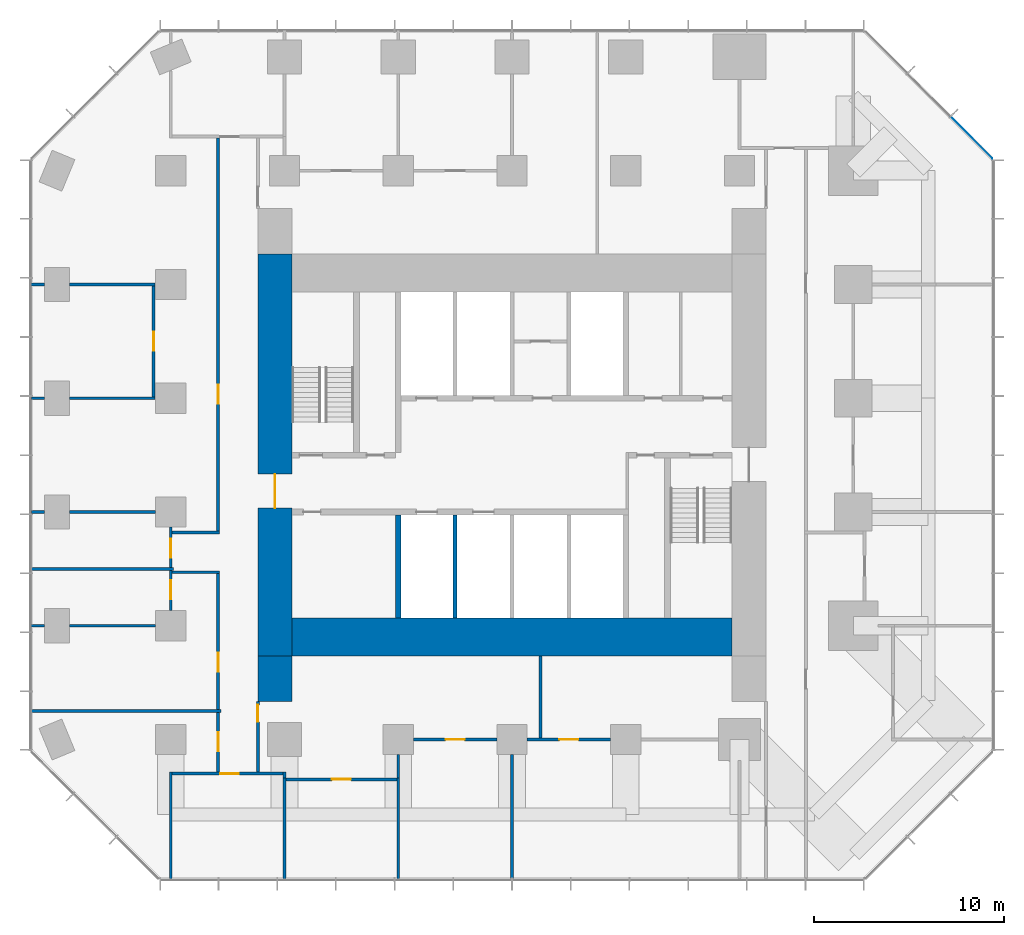
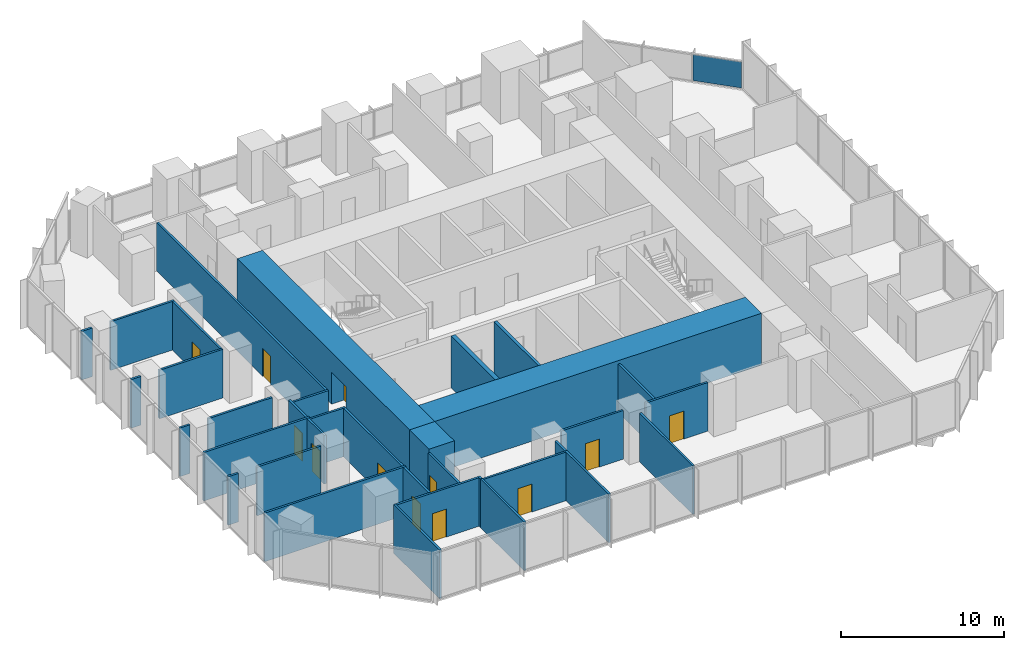
# One storey, part 9 of 12: 35 walls, 12 doors, 1 plate, 12 openings, 1 element without a shape of its own.
"""IFC4 building model written with IfcOpenShell, lengths in metres."""

from ifc_helpers import new_model, si_unit, direction, frame, frame_2d, origin, origin_2d, place, context, subcontext, project, spatial, rectangle, extrude, material, layer, layer_set, type_object, element, fill, aggregate, save


model = new_model("IFC4")

# Units and contexts
model_context = context("Model", 3, precision=1e-05, world=origin(), true_north=direction((0.0, 1.0)))
body_context = subcontext(model_context, "Body", "Model", "MODEL_VIEW")
ifc_project = project(units=[si_unit("LENGTHUNIT", "METRE"), si_unit("AREAUNIT", "SQUARE_METRE"), si_unit("VOLUMEUNIT", "CUBIC_METRE"), si_unit("PLANEANGLEUNIT", "RADIAN"), si_unit("MASSUNIT", "GRAM", prefix="KILO")], contexts=[model_context])

# Site, building, storey
site_placement = place(None, origin())
site = spatial("IfcSite", under=ifc_project, at=site_placement, CompositionType="ELEMENT")
building_placement = place(site_placement, origin())
building = spatial("IfcBuilding", under=site, at=building_placement, Name="Highveld Stack Headquarters", CompositionType="ELEMENT")
storey_placement = place(building_placement, frame((0.0, 0.0, 160.10009765625)))
storey = spatial("IfcBuildingStorey", under=building, at=storey_placement, Name="L39", CompositionType="ELEMENT", Elevation=160.10009765625)

# Curtain wall, plate
ifc_material_1 = material(Name="Aluminium bronze anodised", Category="aluminium")
ifc_layer_1 = layer(ifc_material_1, 0.199951171875)
ifc_layer_set_1 = layer_set([ifc_layer_1], Name="Aluminium bronze anodised")
curtain_wall_type = type_object("IfcCurtainWallType", Name="CW2 TOWER CHAMFER UNITISED CURTAIN WALL", PredefinedType="NOTDEFINED", material=ifc_layer_set_1)
curtain_wall_placement = place(storey_placement, origin())
curtain_wall = element("IfcCurtainWall", 1, at=curtain_wall_placement, inside=storey, type_object=curtain_wall_type, Name="Curtain wall CW2 L39 NE", PredefinedType="NOTDEFINED")
ifc_material_2 = material(Name="Glass bronze tinted double glazed unit", Category="glass")
ifc_layer_2 = layer(ifc_material_2, 0.028076171875)
ifc_layer_set_2 = layer_set([ifc_layer_2], Name="Glass bronze tinted double glazed unit")
plate_type = type_object("IfcPlateType", Name="CW2 PANEL BRONZE TINTED DOUBLE GLAZED UNIT", PredefinedType="CURTAIN_PANEL", material=ifc_layer_set_2)
plate_placement = place(storey_placement, frame((30.239501953125, 19.740478515625, 0.10009765625), z_axis=(0.0, 0.0, 1.0), x_axis=(-0.707106781187, 0.707106781187, 0.0)))
plate = element("IfcPlate", 2, at=plate_placement, type_object=plate_type, Name="CW2 panel L39 1.1", PredefinedType="CURTAIN_PANEL", context=body_context, shape_type="SweptSolid", body=[
    extrude(rectangle(XDim=3.08251953125, YDim=0.028076171875, at=origin_2d()), origin(), (0.0, 0.0, 1.0), 1.949951171875),
])
aggregate(curtain_wall, [plate])

# Wall, opening, door
ifc_material_3 = material(Name="Concrete C60/75", Category="concrete")
ifc_layer_3 = layer(ifc_material_3, 1.800048828125)
ifc_layer_set_3 = layer_set([ifc_layer_3], Name="Concrete C60/75")
wall_type_1 = type_object("IfcWallType", Name="CORE WALL 1800 C60/75", PredefinedType="SHEAR", material=ifc_layer_set_3)
wall_1_placement = place(storey_placement, frame((-6.5, -7.60009765625, 0.0), z_axis=(0.0, 0.0, 1.0), x_axis=(0.0, 1.0, 0.0)))
wall_1 = element("IfcWall", 3, at=wall_1_placement, inside=storey, type_object=wall_type_1, Name="Core wall W L39", PredefinedType="SHEAR", context=body_context, shape_type="SweptSolid", body=[
    extrude(rectangle(XDim=21.2001953125, YDim=1.800048828125, at=frame_2d((10.60009765625, 0.0))), origin(), (0.0, 0.0, 1.0), 3.89990234375),
])
opening_1_placement = place(wall_1_placement, frame((7.800048828125, 0.0, 0.0)))
opening_1 = element("IfcOpeningElement", 4, at=opening_1_placement, cuts=wall_1, Name="Opening L39-01", PredefinedType="OPENING", context=body_context, shape_type="SweptSolid", body=[
    extrude(rectangle(XDim=1.800048828125, YDim=2.39990234375, at=frame_2d((0.89990234375, 1.199951171875))), frame((0.0, 0.909912109375, 0.0), z_axis=(0.0, -1.0, 0.0), x_axis=(1.0, 0.0, 0.0)), (0.0, 0.0, 1.0), 1.820068359375),
])
ifc_material_4 = material(Name="Steel fire door", Category="steel")
door_type_1 = type_object("IfcDoorType", Name="LOBBY FIRE DOOR D4 1800x2400", OperationType="DOUBLE_DOOR_SINGLE_SWING", PredefinedType="DOOR", material=ifc_material_4)
door_1_placement = place(opening_1_placement, origin())
door_1 = element("IfcDoor", 5, at=door_1_placement, inside=storey, type_object=door_type_1, Name="Core west door L39", OperationType="DOUBLE_DOOR_SINGLE_SWING", OverallHeight=2.39990234375, OverallWidth=1.800048828125, PredefinedType="DOOR", context=body_context, shape_type="SweptSolid", body=[
    extrude(rectangle(XDim=1.800048828125, YDim=2.39990234375, at=frame_2d((0.89990234375, 1.199951171875))), frame((0.0, 0.02490234375, 0.0), z_axis=(0.0, -1.0, 0.0), x_axis=(1.0, 0.0, 0.0)), (0.0, 0.0, 1.0), 0.050048828125),
])
fill(opening_1, door_1)

# Walls
ifc_material_5 = material(Name="Concrete C60/75", Category="concrete")
ifc_layer_4 = layer(ifc_material_5, 2.0)
ifc_layer_set_4 = layer_set([ifc_layer_4], Name="Concrete C60/75")
wall_type_2 = type_object("IfcWallType", Name="CORE WALL 2000 C60/75", PredefinedType="SHEAR", material=ifc_layer_set_4)
wall_2_placement = place(storey_placement, frame((-5.60009765625, -6.60009765625, 0.0), z_axis=(0.0, 0.0, 1.0), x_axis=(1.0, 0.0, 0.0)))
element("IfcWall", 6, at=wall_2_placement, inside=storey, type_object=wall_type_2, Name="Core wall S L39", PredefinedType="SHEAR", context=body_context, shape_type="SweptSolid", body=[
    extrude(rectangle(XDim=23.2001953125, YDim=2.0, at=frame_2d((11.60009765625, 0.0))), origin(), (0.0, 0.0, 1.0), 3.89990234375),
])
ifc_material_6 = material(Name="Concrete C60/75", Category="concrete")
ifc_layer_5 = layer(ifc_material_6, 0.300048828125)
ifc_layer_set_5 = layer_set([ifc_layer_5], Name="Concrete C60/75")
wall_type_3 = type_object("IfcWallType", Name="CORE WALL 300 C60/75", PredefinedType="SHEAR", material=ifc_layer_set_5)
wall_3_placement = place(storey_placement, frame((0.0, -5.60009765625, 0.0), z_axis=(0.0, 0.0, 1.0), x_axis=(0.0, 1.0, 0.0)))
element("IfcWall", 7, at=wall_3_placement, inside=storey, type_object=wall_type_3, Name="Core wall I-X0S L39", PredefinedType="SHEAR", context=body_context, shape_type="SweptSolid", body=[
    extrude(rectangle(XDim=5.4501953125, YDim=0.300048828125, at=frame_2d((2.72509765625, 0.0))), origin(), (0.0, 0.0, 1.0), 3.89990234375),
])
ifc_material_7 = material(Name="Concrete C60/75", Category="concrete")
ifc_layer_6 = layer(ifc_material_7, 1.800048828125)
ifc_layer_set_6 = layer_set([ifc_layer_6], Name="Concrete C60/75")
wall_type_4 = type_object("IfcWallType", Name="CORE WING WALL 1800 C60/75", PredefinedType="SHEAR", material=ifc_layer_set_6)
wall_4_placement = place(storey_placement, frame((-6.5, -10.0, 0.0), z_axis=(0.0, 0.0, 1.0), x_axis=(0.0, 1.0, 0.0)))
element("IfcWall", 8, at=wall_4_placement, inside=storey, type_object=wall_type_4, Name="Core wing wall WS L39", PredefinedType="SHEAR", context=body_context, shape_type="SweptSolid", body=[
    extrude(rectangle(XDim=2.39990234375, YDim=1.800048828125, at=frame_2d((1.199951171875, 0.0))), origin(), (0.0, 0.0, 1.0), 3.89990234375),
])

# Wall, opening, door
ifc_material_8 = material(Name="Laminated glass in aluminium frame", Category="aluminium")
ifc_layer_7 = layer(ifc_material_8, 0.14990234375)
ifc_layer_set_7 = layer_set([ifc_layer_7], Name="Laminated glass in aluminium frame")
wall_type_5 = type_object("IfcWallType", Name="GLAZED PARTITION 150", PredefinedType="PARTITIONING", material=ifc_layer_set_7)
wall_5_placement = place(storey_placement, frame((0.800048828125, -12.0, 0.0), z_axis=(0.0, 0.0, 1.0), x_axis=(1.0, 0.0, 0.0)))
wall_5 = element("IfcWall", 9, at=wall_5_placement, inside=storey, type_object=wall_type_5, Name="Glazed partition Meeting room L39", PredefinedType="PARTITIONING", context=body_context, shape_type="SweptSolid", body=[
    extrude(rectangle(XDim=4.39990234375, YDim=0.14990234375, at=frame_2d((2.199951171875, 0.0))), origin(), (0.0, 0.0, 1.0), 3.64990234375),
])
opening_2_placement = place(wall_5_placement, frame((1.699951171875, 0.0, 0.0)))
opening_2 = element("IfcOpeningElement", 10, at=opening_2_placement, cuts=wall_5, Name="Opening L39-14", PredefinedType="OPENING", context=body_context, shape_type="SweptSolid", body=[
    extrude(rectangle(XDim=1.0, YDim=2.10009765625, at=frame_2d((0.5, 1.050048828125))), frame((0.0, 0.0849609375, 0.0), z_axis=(0.0, -1.0, 0.0), x_axis=(1.0, 0.0, 0.0)), (0.0, 0.0, 1.0), 0.169921875),
])
ifc_material_9 = material(Name="Timber door, oiled ash", Category="wood")
door_type_2 = type_object("IfcDoorType", Name="ROOM DOOR D6 1000x2100", OperationType="SINGLE_SWING_LEFT", PredefinedType="DOOR", material=ifc_material_9)
door_2_placement = place(opening_2_placement, origin())
door_2 = element("IfcDoor", 11, at=door_2_placement, inside=storey, type_object=door_type_2, Name="Meeting room door 1 L39", OperationType="SINGLE_SWING_RIGHT", OverallHeight=2.10009765625, OverallWidth=1.0, PredefinedType="DOOR", context=body_context, shape_type="SweptSolid", body=[
    extrude(rectangle(XDim=1.0, YDim=2.10009765625, at=frame_2d((0.5, 1.050048828125))), frame((0.0, 0.02490234375, 0.0), z_axis=(0.0, -1.0, 0.0), x_axis=(1.0, 0.0, 0.0)), (0.0, 0.0, 1.0), 0.050048828125),
])
fill(opening_2, door_2)

# Wall
ifc_material_10 = material(Name="Concrete blockwork, fair-faced", Category="masonry")
ifc_layer_8 = layer(ifc_material_10, 0.199951171875)
ifc_layer_set_8 = layer_set([ifc_layer_8], Name="Concrete blockwork, fair-faced")
wall_type_6 = type_object("IfcWallType", Name="LIFT SHAFT ENCLOSURE WALL 200 BLOCKWORK", PredefinedType="SOLIDWALL", material=ifc_layer_set_8)
wall_6_placement = place(storey_placement, frame((3.0, -5.60009765625, 0.0), z_axis=(0.0, 0.0, 1.0), x_axis=(0.0, 1.0, 0.0)))
element("IfcWall", 12, at=wall_6_placement, inside=storey, type_object=wall_type_6, Name="Lift shaft wall L39", PredefinedType="SOLIDWALL", context=body_context, shape_type="SweptSolid", body=[
    extrude(rectangle(XDim=5.4501953125, YDim=0.199951171875, at=frame_2d((2.72509765625, 0.0))), origin(), (0.0, 0.0, 1.0), 3.89990234375),
])

# Wall, opening, door
ifc_material_11 = material(Name="Gypsum plasterboard on steel studs", Category="steel")
ifc_layer_9 = layer(ifc_material_11, 0.14990234375)
ifc_layer_set_9 = layer_set([ifc_layer_9], Name="Gypsum plasterboard on steel studs")
wall_type_7 = type_object("IfcWallType", Name="PARTITION 150 PLASTERBOARD", PredefinedType="PARTITIONING", material=ifc_layer_set_9)
wall_7_placement = place(storey_placement, frame((-5.925048828125, -14.10009765625, 0.0), z_axis=(0.0, 0.0, 1.0), x_axis=(1.0, 0.0, 0.0)))
wall_7 = element("IfcWall", 13, at=wall_7_placement, inside=storey, type_object=wall_type_7, Name="Partition Focus room L39", PredefinedType="PARTITIONING", context=body_context, shape_type="SweptSolid", body=[
    extrude(rectangle(XDim=5.85009765625, YDim=0.14990234375, at=frame_2d((2.925048828125, 0.0))), origin(), (0.0, 0.0, 1.0), 3.64990234375),
])
opening_3_placement = place(wall_7_placement, frame((2.425048828125, 0.0, 0.0)))
opening_3 = element("IfcOpeningElement", 14, at=opening_3_placement, cuts=wall_7, Name="Opening L39-13", PredefinedType="OPENING", context=body_context, shape_type="SweptSolid", body=[
    extrude(rectangle(XDim=1.0, YDim=2.10009765625, at=frame_2d((0.5, 1.050048828125))), frame((0.0, 0.0849609375, 0.0), z_axis=(0.0, -1.0, 0.0), x_axis=(1.0, 0.0, 0.0)), (0.0, 0.0, 1.0), 0.169921875),
])
door_3_placement = place(opening_3_placement, origin())
door_3 = element("IfcDoor", 15, at=door_3_placement, inside=storey, type_object=door_type_2, Name="Focus room door 1 L39", OperationType="SINGLE_SWING_RIGHT", OverallHeight=2.10009765625, OverallWidth=1.0, PredefinedType="DOOR", context=body_context, shape_type="SweptSolid", body=[
    extrude(rectangle(XDim=1.0, YDim=2.10009765625, at=frame_2d((0.5, 1.050048828125))), frame((0.0, 0.02490234375, 0.0), z_axis=(0.0, -1.0, 0.0), x_axis=(1.0, 0.0, 0.0)), (0.0, 0.0, 1.0), 0.050048828125),
])
fill(opening_3, door_3)

wall_8_placement = place(storey_placement, frame((-11.925048828125, -13.800048828125, 0.0), z_axis=(0.0, 0.0, 1.0), x_axis=(1.0, 0.0, 0.0)))
wall_8 = element("IfcWall", 16, at=wall_8_placement, inside=storey, type_object=wall_type_7, Name="Partition Print room L39", PredefinedType="PARTITIONING", context=body_context, shape_type="SweptSolid", body=[
    extrude(rectangle(XDim=5.85009765625, YDim=0.14990234375, at=frame_2d((2.925048828125, 0.0))), origin(), (0.0, 0.0, 1.0), 3.64990234375),
])
opening_4_placement = place(wall_8_placement, frame((2.52490234375, 0.0, 0.0)))
opening_4 = element("IfcOpeningElement", 17, at=opening_4_placement, cuts=wall_8, Name="Opening L39-12", PredefinedType="OPENING", context=body_context, shape_type="SweptSolid", body=[
    extrude(rectangle(XDim=1.0, YDim=2.10009765625, at=frame_2d((0.5, 1.050048828125))), frame((0.0, 0.0849609375, 0.0), z_axis=(0.0, -1.0, 0.0), x_axis=(1.0, 0.0, 0.0)), (0.0, 0.0, 1.0), 0.169921875),
])
door_4_placement = place(opening_4_placement, origin())
door_4 = element("IfcDoor", 18, at=door_4_placement, inside=storey, type_object=door_type_2, Name="Print room door 1 L39", OperationType="SINGLE_SWING_RIGHT", OverallHeight=2.10009765625, OverallWidth=1.0, PredefinedType="DOOR", context=body_context, shape_type="SweptSolid", body=[
    extrude(rectangle(XDim=1.0, YDim=2.10009765625, at=frame_2d((0.5, 1.050048828125))), frame((0.0, 0.02490234375, 0.0), z_axis=(0.0, -1.0, 0.0), x_axis=(1.0, 0.0, 0.0)), (0.0, 0.0, 1.0), 0.050048828125),
])
fill(opening_4, door_4)

wall_9_placement = place(storey_placement, frame((6.800048828125, -12.0, 0.0), z_axis=(0.0, 0.0, 1.0), x_axis=(1.0, 0.0, 0.0)))
wall_9 = element("IfcWall", 19, at=wall_9_placement, inside=storey, type_object=wall_type_7, Name="Partition Team office L39", PredefinedType="PARTITIONING", context=body_context, shape_type="SweptSolid", body=[
    extrude(rectangle(XDim=4.39990234375, YDim=0.14990234375, at=frame_2d((2.199951171875, 0.0))), origin(), (0.0, 0.0, 1.0), 3.64990234375),
])
opening_5_placement = place(wall_9_placement, frame((1.699951171875, 0.0, 0.0)))
opening_5 = element("IfcOpeningElement", 20, at=opening_5_placement, cuts=wall_9, Name="Opening L39-15", PredefinedType="OPENING", context=body_context, shape_type="SweptSolid", body=[
    extrude(rectangle(XDim=1.0, YDim=2.10009765625, at=frame_2d((0.5, 1.050048828125))), frame((0.0, 0.0849609375, 0.0), z_axis=(0.0, -1.0, 0.0), x_axis=(1.0, 0.0, 0.0)), (0.0, 0.0, 1.0), 0.169921875),
])
door_5_placement = place(opening_5_placement, origin())
door_5 = element("IfcDoor", 21, at=door_5_placement, inside=storey, type_object=door_type_2, Name="Team office door 1 L39", OperationType="SINGLE_SWING_LEFT", OverallHeight=2.10009765625, OverallWidth=1.0, PredefinedType="DOOR", context=body_context, shape_type="SweptSolid", body=[
    extrude(rectangle(XDim=1.0, YDim=2.10009765625, at=frame_2d((0.5, 1.050048828125))), frame((0.0, 0.02490234375, 0.0), z_axis=(0.0, -1.0, 0.0), x_axis=(1.0, 0.0, 0.0)), (0.0, 0.0, 1.0), 0.050048828125),
])
fill(opening_5, door_5)

# Walls
wall_10_placement = place(storey_placement, frame((-19.39990234375, -6.0, 0.0), z_axis=(0.0, 0.0, 1.0), x_axis=(1.0, 0.0, 0.0)))
element("IfcWall", 22, at=wall_10_placement, inside=storey, type_object=wall_type_7, Name="Partition Office L39", PredefinedType="PARTITIONING", context=body_context, shape_type="SweptSolid", body=[
    extrude(rectangle(XDim=0.75, YDim=0.14990234375, at=frame_2d((0.375, 0.0))), origin(), (0.0, 0.0, 1.0), 3.64990234375),
])
wall_11_placement = place(storey_placement, frame((-17.35009765625, -6.0, 0.0), z_axis=(0.0, 0.0, 1.0), x_axis=(1.0, 0.0, 0.0)))
element("IfcWall", 23, at=wall_11_placement, inside=storey, type_object=wall_type_7, Name="Partition Office L39", PredefinedType="PARTITIONING", context=body_context, shape_type="SweptSolid", body=[
    extrude(rectangle(XDim=4.550048828125, YDim=0.14990234375, at=frame_2d((2.27490234375, 0.0))), origin(), (0.0, 0.0, 1.0), 3.64990234375),
])
wall_12_placement = place(storey_placement, frame((-19.39990234375, -3.0, 0.0), z_axis=(0.0, 0.0, 1.0), x_axis=(1.0, 0.0, 0.0)))
element("IfcWall", 24, at=wall_12_placement, inside=storey, type_object=wall_type_7, Name="Partition Office L39", PredefinedType="PARTITIONING", context=body_context, shape_type="SweptSolid", body=[
    extrude(rectangle(XDim=7.5498046875, YDim=0.14990234375, at=frame_2d((3.77490234375, 0.0))), origin(), (0.0, 0.0, 1.0), 3.64990234375),
])
wall_13_placement = place(storey_placement, frame((-19.35009765625, 0.0, 0.0), z_axis=(0.0, 0.0, 1.0), x_axis=(1.0, 0.0, 0.0)))
element("IfcWall", 25, at=wall_13_placement, inside=storey, type_object=wall_type_7, Name="Partition Office L39", PredefinedType="PARTITIONING", context=body_context, shape_type="SweptSolid", body=[
    extrude(rectangle(XDim=0.7001953125, YDim=0.14990234375, at=frame_2d((0.35009765625, 0.0))), origin(), (0.0, 0.0, 1.0), 3.64990234375),
])
wall_14_placement = place(storey_placement, frame((-17.35009765625, 0.0, 0.0), z_axis=(0.0, 0.0, 1.0), x_axis=(1.0, 0.0, 0.0)))
element("IfcWall", 26, at=wall_14_placement, inside=storey, type_object=wall_type_7, Name="Partition Office L39", PredefinedType="PARTITIONING", context=body_context, shape_type="SweptSolid", body=[
    extrude(rectangle(XDim=4.550048828125, YDim=0.14990234375, at=frame_2d((2.27490234375, 0.0))), origin(), (0.0, 0.0, 1.0), 3.64990234375),
])
wall_15_placement = place(storey_placement, frame((-19.35009765625, 6.0, 0.0), z_axis=(0.0, 0.0, 1.0), x_axis=(1.0, 0.0, 0.0)))
element("IfcWall", 27, at=wall_15_placement, inside=storey, type_object=wall_type_7, Name="Partition Interview room L39", PredefinedType="PARTITIONING", context=body_context, shape_type="SweptSolid", body=[
    extrude(rectangle(XDim=0.7001953125, YDim=0.14990234375, at=frame_2d((0.35009765625, 0.0))), origin(), (0.0, 0.0, 1.0), 3.64990234375),
])
wall_16_placement = place(storey_placement, frame((-17.35009765625, 6.0, 0.0), z_axis=(0.0, 0.0, 1.0), x_axis=(1.0, 0.0, 0.0)))
element("IfcWall", 28, at=wall_16_placement, inside=storey, type_object=wall_type_7, Name="Partition Interview room L39", PredefinedType="PARTITIONING", context=body_context, shape_type="SweptSolid", body=[
    extrude(rectangle(XDim=4.525146484375, YDim=0.14990234375, at=frame_2d((2.2626953125, 0.0))), origin(), (0.0, 0.0, 1.0), 3.64990234375),
])
wall_17_placement = place(storey_placement, frame((-19.39990234375, 12.0, 0.0), z_axis=(0.0, 0.0, 1.0), x_axis=(1.0, 0.0, 0.0)))
element("IfcWall", 29, at=wall_17_placement, inside=storey, type_object=wall_type_7, Name="Partition Interview room L39", PredefinedType="PARTITIONING", context=body_context, shape_type="SweptSolid", body=[
    extrude(rectangle(XDim=0.75, YDim=0.14990234375, at=frame_2d((0.375, 0.0))), origin(), (0.0, 0.0, 1.0), 3.64990234375),
])
wall_18_placement = place(storey_placement, frame((-17.35009765625, 12.0, 0.0), z_axis=(0.0, 0.0, 1.0), x_axis=(1.0, 0.0, 0.0)))
element("IfcWall", 30, at=wall_18_placement, inside=storey, type_object=wall_type_7, Name="Partition Interview room L39", PredefinedType="PARTITIONING", context=body_context, shape_type="SweptSolid", body=[
    extrude(rectangle(XDim=4.525146484375, YDim=0.14990234375, at=frame_2d((2.2626953125, 0.0))), origin(), (0.0, 0.0, 1.0), 3.64990234375),
])

# Wall, opening, door
wall_19_placement = place(storey_placement, frame((-12.89990234375, 6.074951171875, 0.0), z_axis=(0.0, 0.0, 1.0), x_axis=(0.0, 1.0, 0.0)))
wall_19 = element("IfcWall", 31, at=wall_19_placement, inside=storey, type_object=wall_type_7, Name="Partition Interview room L39", PredefinedType="PARTITIONING", context=body_context, shape_type="SweptSolid", body=[
    extrude(rectangle(XDim=5.85009765625, YDim=0.14990234375, at=frame_2d((2.925048828125, 0.0))), origin(), (0.0, 0.0, 1.0), 3.64990234375),
])
opening_6_placement = place(wall_19_placement, frame((2.425048828125, 0.0, 0.0)))
opening_6 = element("IfcOpeningElement", 32, at=opening_6_placement, cuts=wall_19, Name="Opening L39-18", PredefinedType="OPENING", context=body_context, shape_type="SweptSolid", body=[
    extrude(rectangle(XDim=1.0, YDim=2.10009765625, at=frame_2d((0.5, 1.050048828125))), frame((0.0, 0.0849609375, 0.0), z_axis=(0.0, -1.0, 0.0), x_axis=(1.0, 0.0, 0.0)), (0.0, 0.0, 1.0), 0.169921875),
])
door_6_placement = place(opening_6_placement, origin())
door_6 = element("IfcDoor", 33, at=door_6_placement, inside=storey, type_object=door_type_2, Name="Interview room door 1 L39", OperationType="SINGLE_SWING_RIGHT", OverallHeight=2.10009765625, OverallWidth=1.0, PredefinedType="DOOR", context=body_context, shape_type="SweptSolid", body=[
    extrude(rectangle(XDim=1.0, YDim=2.10009765625, at=frame_2d((0.5, 1.050048828125))), frame((0.0, 0.02490234375, 0.0), z_axis=(0.0, -1.0, 0.0), x_axis=(1.0, 0.0, 0.0)), (0.0, 0.0, 1.0), 0.050048828125),
])
fill(opening_6, door_6)

# Wall
wall_20_placement = place(storey_placement, frame((-12.0, -19.39990234375, 0.0), z_axis=(0.0, 0.0, 1.0), x_axis=(0.0, 1.0, 0.0)))
element("IfcWall", 34, at=wall_20_placement, inside=storey, type_object=wall_type_7, Name="Partition Print room L39", PredefinedType="PARTITIONING", context=body_context, shape_type="SweptSolid", body=[
    extrude(rectangle(XDim=5.6748046875, YDim=0.14990234375, at=frame_2d((2.83740234375, 0.0))), origin(), (0.0, 0.0, 1.0), 3.64990234375),
])

# Wall, opening, door
wall_21_placement = place(storey_placement, frame((-12.0, -5.199951171875, 0.0), z_axis=(0.0, 0.0, 1.0), x_axis=(0.0, 1.0, 0.0)))
wall_21 = element("IfcWall", 35, at=wall_21_placement, inside=storey, type_object=wall_type_7, Name="Partition Office L39", PredefinedType="PARTITIONING", context=body_context, shape_type="SweptSolid", body=[
    extrude(rectangle(XDim=2.125, YDim=0.14990234375, at=frame_2d((1.0625, 0.0))), origin(), (0.0, 0.0, 1.0), 3.64990234375),
])
opening_7_placement = place(wall_21_placement, frame((0.60009765625, 0.0, 0.0)))
opening_7 = element("IfcOpeningElement", 36, at=opening_7_placement, cuts=wall_21, Name="Opening L39-16", PredefinedType="OPENING", context=body_context, shape_type="SweptSolid", body=[
    extrude(rectangle(XDim=1.0, YDim=2.10009765625, at=frame_2d((0.5, 1.050048828125))), frame((0.0, 0.0849609375, 0.0), z_axis=(0.0, -1.0, 0.0), x_axis=(1.0, 0.0, 0.0)), (0.0, 0.0, 1.0), 0.169921875),
])
door_7_placement = place(opening_7_placement, origin())
door_7 = element("IfcDoor", 37, at=door_7_placement, inside=storey, type_object=door_type_2, Name="Office door 1 L39", OperationType="SINGLE_SWING_RIGHT", OverallHeight=2.10009765625, OverallWidth=1.0, PredefinedType="DOOR", context=body_context, shape_type="SweptSolid", body=[
    extrude(rectangle(XDim=1.0, YDim=2.10009765625, at=frame_2d((0.5, 1.050048828125))), frame((0.0, 0.02490234375, 0.0), z_axis=(0.0, -1.0, 0.0), x_axis=(1.0, 0.0, 0.0)), (0.0, 0.0, 1.0), 0.050048828125),
])
fill(opening_7, door_7)

wall_22_placement = place(storey_placement, frame((-12.0, -2.925048828125, 0.0), z_axis=(0.0, 0.0, 1.0), x_axis=(0.0, 1.0, 0.0)))
wall_22 = element("IfcWall", 38, at=wall_22_placement, inside=storey, type_object=wall_type_7, Name="Partition Office L39", PredefinedType="PARTITIONING", context=body_context, shape_type="SweptSolid", body=[
    extrude(rectangle(XDim=2.125, YDim=0.14990234375, at=frame_2d((1.0625, 0.0))), origin(), (0.0, 0.0, 1.0), 3.64990234375),
])
opening_8_placement = place(wall_22_placement, frame((0.52490234375, 0.0, 0.0)))
opening_8 = element("IfcOpeningElement", 39, at=opening_8_placement, cuts=wall_22, Name="Opening L39-17", PredefinedType="OPENING", context=body_context, shape_type="SweptSolid", body=[
    extrude(rectangle(XDim=1.0, YDim=2.10009765625, at=frame_2d((0.5, 1.050048828125))), frame((0.0, 0.0849609375, 0.0), z_axis=(0.0, -1.0, 0.0), x_axis=(1.0, 0.0, 0.0)), (0.0, 0.0, 1.0), 0.169921875),
])
door_8_placement = place(opening_8_placement, origin())
door_8 = element("IfcDoor", 40, at=door_8_placement, inside=storey, type_object=door_type_2, Name="Office door 1 L39", OperationType="SINGLE_SWING_LEFT", OverallHeight=2.10009765625, OverallWidth=1.0, PredefinedType="DOOR", context=body_context, shape_type="SweptSolid", body=[
    extrude(rectangle(XDim=1.0, YDim=2.10009765625, at=frame_2d((0.5, 1.050048828125))), frame((0.0, 0.02490234375, 0.0), z_axis=(0.0, -1.0, 0.0), x_axis=(1.0, 0.0, 0.0)), (0.0, 0.0, 1.0), 0.050048828125),
])
fill(opening_8, door_8)

# Walls
wall_23_placement = place(storey_placement, frame((-6.0, -19.39990234375, 0.0), z_axis=(0.0, 0.0, 1.0), x_axis=(0.0, 1.0, 0.0)))
element("IfcWall", 41, at=wall_23_placement, inside=storey, type_object=wall_type_7, Name="Partition Focus room / Print room L39", PredefinedType="PARTITIONING", context=body_context, shape_type="SweptSolid", body=[
    extrude(rectangle(XDim=5.375, YDim=0.14990234375, at=frame_2d((2.6875, 0.0))), origin(), (0.0, 0.0, 1.0), 3.64990234375),
])
wall_24_placement = place(storey_placement, frame((-6.0, -14.02490234375, 0.0), z_axis=(0.0, 0.0, 1.0), x_axis=(0.0, 1.0, 0.0)))
element("IfcWall", 42, at=wall_24_placement, inside=storey, type_object=wall_type_7, Name="Partition Print room L39", PredefinedType="PARTITIONING", context=body_context, shape_type="SweptSolid", body=[
    extrude(rectangle(XDim=0.2998046875, YDim=0.14990234375, at=frame_2d((0.14990234375, 0.0))), origin(), (0.0, 0.0, 1.0), 3.64990234375),
])
wall_25_placement = place(storey_placement, frame((0.0, -19.39990234375, 0.0), z_axis=(0.0, 0.0, 1.0), x_axis=(0.0, 1.0, 0.0)))
element("IfcWall", 43, at=wall_25_placement, inside=storey, type_object=wall_type_7, Name="Partition Focus room / Meeting room L39", PredefinedType="PARTITIONING", context=body_context, shape_type="SweptSolid", body=[
    extrude(rectangle(XDim=5.375, YDim=0.14990234375, at=frame_2d((2.6875, 0.0))), origin(), (0.0, 0.0, 1.0), 3.64990234375),
])
wall_26_placement = place(storey_placement, frame((0.0, -14.02490234375, 0.0), z_axis=(0.0, 0.0, 1.0), x_axis=(0.0, 1.0, 0.0)))
element("IfcWall", 44, at=wall_26_placement, inside=storey, type_object=wall_type_7, Name="Partition Meeting room L39", PredefinedType="PARTITIONING", context=body_context, shape_type="SweptSolid", body=[
    extrude(rectangle(XDim=1.224853515625, YDim=0.14990234375, at=frame_2d((0.6123046875, 0.0))), origin(), (0.0, 0.0, 1.0), 3.64990234375),
])
wall_27_placement = place(storey_placement, frame((6.0, -19.35009765625, 0.0), z_axis=(0.0, 0.0, 1.0), x_axis=(0.0, 1.0, 0.0)))
element("IfcWall", 45, at=wall_27_placement, inside=storey, type_object=wall_type_7, Name="Partition Meeting room / Team office L39", PredefinedType="PARTITIONING", context=body_context, shape_type="SweptSolid", body=[
    extrude(rectangle(XDim=6.550048828125, YDim=0.14990234375, at=frame_2d((3.27490234375, 0.0))), origin(), (0.0, 0.0, 1.0), 3.64990234375),
])
wall_28_placement = place(storey_placement, frame((-19.39990234375, -10.5, 0.0), z_axis=(0.0, 0.0, 1.0), x_axis=(1.0, 0.0, 0.0)))
element("IfcWall", 46, at=wall_28_placement, inside=storey, type_object=wall_type_7, Name="Partition office neighbourhood L39", PredefinedType="PARTITIONING", context=body_context, shape_type="SweptSolid", body=[
    extrude(rectangle(XDim=10.0498046875, YDim=0.14990234375, at=frame_2d((5.02490234375, 0.0))), origin(), (0.0, 0.0, 1.0), 3.64990234375),
])
for number, where, z_axis, x_axis, name in (
    (47, (-11.925048828125, -3.175048828125, 0.0), (0.0, 0.0, 1.0), (1.0, 0.0, 0.0), "Partition office neighbourhood L39"),
    (48, (-11.925048828125, -1.074951171875, 0.0), (0.0, 0.0, 1.0), (1.0, 0.0, 0.0), "Partition office neighbourhood L39"),
):
    element("IfcWall", number, at=place(storey_placement, frame(where, z_axis=z_axis, x_axis=x_axis)), inside=storey, type_object=wall_type_7, Name=name, PredefinedType="PARTITIONING", context=body_context, shape_type="SweptSolid", body=[
        extrude(rectangle(XDim=2.5, YDim=0.14990234375, at=frame_2d((1.25, 0.0))), origin(), (0.0, 0.0, 1.0), 3.64990234375),
    ])

# Wall, opening, door
wall_29_placement = place(storey_placement, frame((-9.5, -13.72509765625, 0.0), z_axis=(0.0, 0.0, 1.0), x_axis=(0.0, 1.0, 0.0)))
wall_29 = element("IfcWall", 49, at=wall_29_placement, inside=storey, type_object=wall_type_7, Name="Partition office neighbourhood L39", PredefinedType="PARTITIONING", context=body_context, shape_type="SweptSolid", body=[
    extrude(rectangle(XDim=3.150146484375, YDim=0.14990234375, at=frame_2d((1.5751953125, 0.0))), origin(), (0.0, 0.0, 1.0), 3.64990234375),
])
opening_9_placement = place(wall_29_placement, frame((1.113037109375, 0.0, 0.0)))
opening_9 = element("IfcOpeningElement", 50, at=opening_9_placement, cuts=wall_29, Name="Opening L39-26", PredefinedType="OPENING", context=body_context, shape_type="SweptSolid", body=[
    extrude(rectangle(XDim=1.0, YDim=2.10009765625, at=frame_2d((0.5, 1.050048828125))), frame((0.0, 0.0849609375, 0.0), z_axis=(0.0, -1.0, 0.0), x_axis=(1.0, 0.0, 0.0)), (0.0, 0.0, 1.0), 0.169921875),
])
door_9_placement = place(opening_9_placement, origin())
door_9 = element("IfcDoor", 51, at=door_9_placement, inside=storey, type_object=door_type_2, Name="Office neighbourhood door L39", OperationType="SINGLE_SWING_RIGHT", OverallHeight=2.10009765625, OverallWidth=1.0, PredefinedType="DOOR", context=body_context, shape_type="SweptSolid", body=[
    extrude(rectangle(XDim=1.0, YDim=2.10009765625, at=frame_2d((0.5, 1.050048828125))), frame((0.0, 0.02490234375, 0.0), z_axis=(0.0, -1.0, 0.0), x_axis=(1.0, 0.0, 0.0)), (0.0, 0.0, 1.0), 0.050048828125),
])
fill(opening_9, door_9)

wall_30_placement = place(storey_placement, frame((-9.5, -10.425048828125, 0.0), z_axis=(0.0, 0.0, 1.0), x_axis=(0.0, 1.0, 0.0)))
wall_30 = element("IfcWall", 52, at=wall_30_placement, inside=storey, type_object=wall_type_7, Name="Partition office neighbourhood L39", PredefinedType="PARTITIONING", context=body_context, shape_type="SweptSolid", body=[
    extrude(rectangle(XDim=7.175048828125, YDim=0.14990234375, at=frame_2d((3.58740234375, 0.0))), origin(), (0.0, 0.0, 1.0), 3.64990234375),
])
opening_10_placement = place(wall_30_placement, frame((1.989013671875, 0.0, 0.0)))
opening_10 = element("IfcOpeningElement", 53, at=opening_10_placement, cuts=wall_30, Name="Opening L39-29", PredefinedType="OPENING", context=body_context, shape_type="SweptSolid", body=[
    extrude(rectangle(XDim=1.0, YDim=2.10009765625, at=frame_2d((0.5, 1.050048828125))), frame((0.0, 0.0849609375, 0.0), z_axis=(0.0, -1.0, 0.0), x_axis=(1.0, 0.0, 0.0)), (0.0, 0.0, 1.0), 0.169921875),
])
door_10_placement = place(opening_10_placement, origin())
door_10 = element("IfcDoor", 54, at=door_10_placement, inside=storey, type_object=door_type_2, Name="Office neighbourhood door L39", OperationType="SINGLE_SWING_LEFT", OverallHeight=2.10009765625, OverallWidth=1.0, PredefinedType="DOOR", context=body_context, shape_type="SweptSolid", body=[
    extrude(rectangle(XDim=1.0, YDim=2.10009765625, at=frame_2d((0.5, 1.050048828125))), frame((0.0, 0.02490234375, 0.0), z_axis=(0.0, -1.0, 0.0), x_axis=(1.0, 0.0, 0.0)), (0.0, 0.0, 1.0), 0.050048828125),
])
fill(opening_10, door_10)

wall_31_placement = place(storey_placement, frame((-9.5, -1.0, 0.0), z_axis=(0.0, 0.0, 1.0), x_axis=(0.0, 1.0, 0.0)))
wall_31 = element("IfcWall", 55, at=wall_31_placement, inside=storey, type_object=wall_type_7, Name="Partition office neighbourhood L39", PredefinedType="PARTITIONING", context=body_context, shape_type="SweptSolid", body=[
    extrude(rectangle(XDim=20.72509765625, YDim=0.14990234375, at=frame_2d((10.362548828125, 0.0))), origin(), (0.0, 0.0, 1.0), 3.64990234375),
])
opening_11_placement = place(wall_31_placement, frame((6.705078125, 0.0, 0.0)))
opening_11 = element("IfcOpeningElement", 56, at=opening_11_placement, cuts=wall_31, Name="Opening L39-30", PredefinedType="OPENING", context=body_context, shape_type="SweptSolid", body=[
    extrude(rectangle(XDim=1.0, YDim=2.10009765625, at=frame_2d((0.5, 1.050048828125))), frame((0.0, 0.0849609375, 0.0), z_axis=(0.0, -1.0, 0.0), x_axis=(1.0, 0.0, 0.0)), (0.0, 0.0, 1.0), 0.169921875),
])
door_11_placement = place(opening_11_placement, origin())
door_11 = element("IfcDoor", 57, at=door_11_placement, inside=storey, type_object=door_type_2, Name="Office neighbourhood door L39", OperationType="SINGLE_SWING_LEFT", OverallHeight=2.10009765625, OverallWidth=1.0, PredefinedType="DOOR", context=body_context, shape_type="SweptSolid", body=[
    extrude(rectangle(XDim=1.0, YDim=2.10009765625, at=frame_2d((0.5, 1.050048828125))), frame((0.0, 0.02490234375, 0.0), z_axis=(0.0, -1.0, 0.0), x_axis=(1.0, 0.0, 0.0)), (0.0, 0.0, 1.0), 0.050048828125),
])
fill(opening_11, door_11)

wall_32_placement = place(storey_placement, frame((-7.39990234375, -13.72509765625, 0.0), z_axis=(0.0, 0.0, 1.0), x_axis=(0.0, 1.0, 0.0)))
wall_32 = element("IfcWall", 58, at=wall_32_placement, inside=storey, type_object=wall_type_7, Name="Partition office neighbourhood L39", PredefinedType="PARTITIONING", context=body_context, shape_type="SweptSolid", body=[
    extrude(rectangle(XDim=3.72509765625, YDim=0.14990234375, at=frame_2d((1.862548828125, 0.0))), origin(), (0.0, 0.0, 1.0), 3.64990234375),
])
opening_12_placement = place(wall_32_placement, frame((2.64990234375, 0.0, 0.0)))
opening_12 = element("IfcOpeningElement", 59, at=opening_12_placement, cuts=wall_32, Name="Opening L39-34", PredefinedType="OPENING", context=body_context, shape_type="SweptSolid", body=[
    extrude(rectangle(XDim=0.89990234375, YDim=2.10009765625, at=frame_2d((0.449951171875, 1.050048828125))), frame((0.0, 0.0849609375, 0.0), z_axis=(0.0, -1.0, 0.0), x_axis=(1.0, 0.0, 0.0)), (0.0, 0.0, 1.0), 0.169921875),
])
ifc_material_12 = material(Name="Timber door, oiled ash", Category="wood")
door_type_3 = type_object("IfcDoorType", Name="ROOM DOOR D15 900x2100", OperationType="SINGLE_SWING_LEFT", PredefinedType="DOOR", material=ifc_material_12)
door_12_placement = place(opening_12_placement, origin())
door_12 = element("IfcDoor", 60, at=door_12_placement, inside=storey, type_object=door_type_3, Name="Office neighbourhood door L39", OperationType="SINGLE_SWING_RIGHT", OverallHeight=2.10009765625, OverallWidth=0.89990234375, PredefinedType="DOOR", context=body_context, shape_type="SweptSolid", body=[
    extrude(rectangle(XDim=0.89990234375, YDim=2.10009765625, at=frame_2d((0.449951171875, 1.050048828125))), frame((0.0, 0.02490234375, 0.0), z_axis=(0.0, -1.0, 0.0), x_axis=(1.0, 0.0, 0.0)), (0.0, 0.0, 1.0), 0.050048828125),
])
fill(opening_12, door_12)

# Wall
wall_33_placement = place(storey_placement, frame((7.5, -11.925048828125, 0.0), z_axis=(0.0, 0.0, 1.0), x_axis=(0.0, 1.0, 0.0)))
element("IfcWall", 61, at=wall_33_placement, inside=storey, type_object=wall_type_7, Name="Partition office neighbourhood L39", PredefinedType="PARTITIONING", context=body_context, shape_type="SweptSolid", body=[
    extrude(rectangle(XDim=4.324951171875, YDim=0.14990234375, at=frame_2d((2.16259765625, 0.0))), origin(), (0.0, 0.0, 1.0), 3.64990234375),
])

save(model, "model.ifc")
